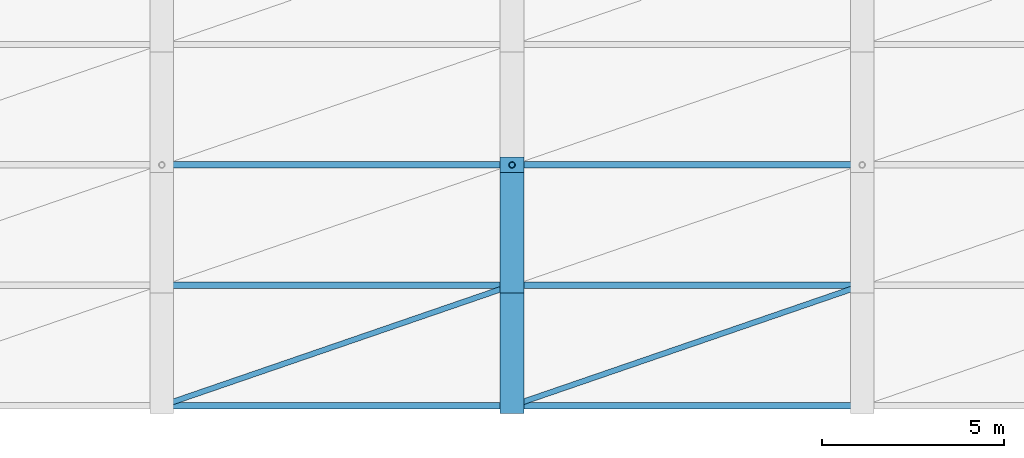
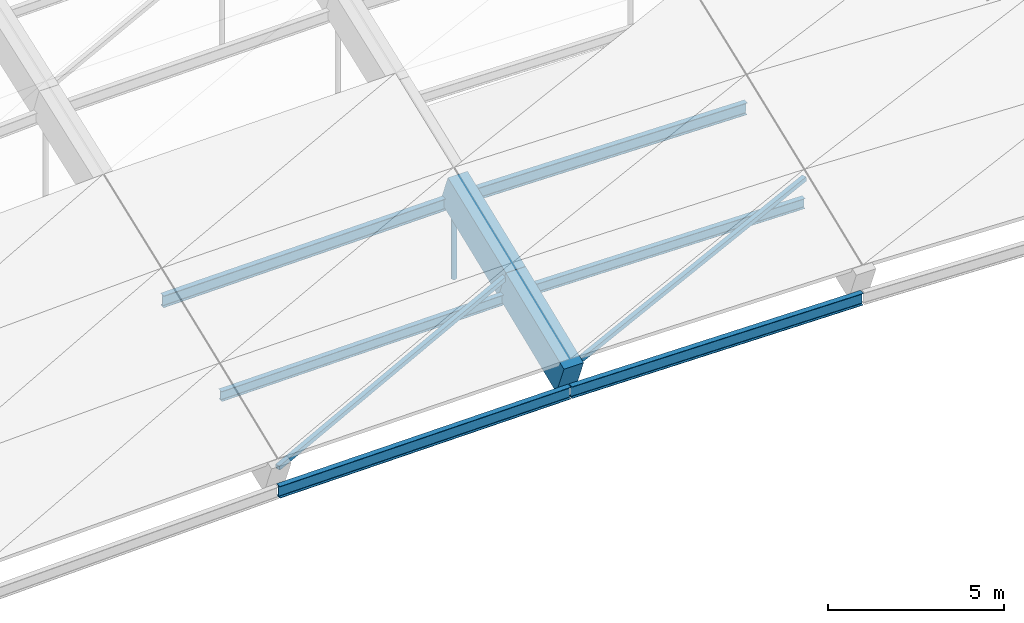
# One storey, part 10 of 43: 9 members, 2 beams.
"""IFC4 building model written with IfcOpenShell, lengths in metres."""

from ifc_helpers import new_model, si_unit, direction, frame, origin, origin_2d, place, context, subcontext, project, spatial, rectangle, hollow_rectangle, hollow_circle, i_section, extrude, material, material_profile, profile_set, type_object, element, save


model = new_model("IFC4")

# Units and contexts
model_context = context("Model", 3, precision=1e-05, world=origin(), true_north=direction((0.0, 1.0)))
body_context = subcontext(model_context, "Body", "Model", "MODEL_VIEW")
ifc_project = project(units=[si_unit("LENGTHUNIT", "METRE"), si_unit("AREAUNIT", "SQUARE_METRE"), si_unit("VOLUMEUNIT", "CUBIC_METRE"), si_unit("PLANEANGLEUNIT", "RADIAN"), si_unit("MASSUNIT", "GRAM", prefix="KILO")], contexts=[model_context])

# Site, building, storey
site_placement = place(None, origin())
site = spatial("IfcSite", under=ifc_project, at=site_placement, CompositionType="ELEMENT")
building_placement = place(site_placement, origin())
building = spatial("IfcBuilding", under=site, at=building_placement, Name="Chalmorin Arch Market", CompositionType="ELEMENT")
storey_placement = place(building_placement, frame((0.0, 0.0, 18.60009765625)))
storey = spatial("IfcBuildingStorey", under=building, at=storey_placement, Name="RF", CompositionType="ELEMENT", Elevation=18.60009765625)

# Member
ifc_material_1 = material(Name="Steel A500 Grade C", Category="steel")
ifc_material_profile_1 = material_profile(ifc_material_1, hollow_circle(Radius=0.084228515625, WallThickness=0.007080078125, at=origin_2d()), Name="CHS168X7")
ifc_profile_set_1 = profile_set([ifc_material_profile_1], Name="Steel A500 Grade C")
member_type_1 = type_object("IfcMemberType", Name="ArchHangerTie-CHS168", PredefinedType="CHORD", material=ifc_profile_set_1)
member_1_placement = place(storey_placement, frame((86.39990234375, 12.60009765625, -2.4501953125), z_axis=(0.0, 0.0, 1.0), x_axis=(1.0, 0.0, 0.0)))
element("IfcMember", 1, at=member_1_placement, inside=storey, type_object=member_type_1, Name="HT-CH168-0156", PredefinedType="CHORD", context=body_context, shape_type="SweptSolid", body=[
    extrude(hollow_circle(Radius=0.084228515625, WallThickness=0.007080078125, at=origin_2d()), origin(), (0.0, 0.0, 1.0), 3.197265625),
])

# Beams
ifc_material_2 = material(Name="Concrete C50/60", Category="concrete")
ifc_material_profile_2 = material_profile(ifc_material_2, rectangle(XDim=0.64990234375, YDim=1.14990234375, at=origin_2d()), Name="RC650X1150")
ifc_profile_set_2 = profile_set([ifc_material_profile_2], Name="Concrete C50/60")
beam_type = type_object("IfcBeamType", Name="ArchRibChord-650x1150", PredefinedType="BEAM", material=ifc_profile_set_2)
beam_1_placement = place(storey_placement, frame((86.39990234375, 6.0, -1.900146484375), z_axis=(0.0, 0.926616651125, 0.37600742261), x_axis=(-1.0, 0.0, 0.0)))
element("IfcBeam", 2, at=beam_1_placement, inside=storey, type_object=beam_type, Name="AR-01-1661", PredefinedType="BEAM", context=body_context, shape_type="SweptSolid", body=[
    extrude(rectangle(XDim=0.64990234375, YDim=1.14990234375, at=origin_2d()), origin(), (0.0, 0.0, 1.0), 3.561279296875),
])
beam_2_placement = place(storey_placement, frame((86.39990234375, 9.300048828125, -0.56103515625), z_axis=(0.0, 0.929629497426, 0.368495586832), x_axis=(-1.0, 0.0, 0.0)))
element("IfcBeam", 3, at=beam_2_placement, inside=storey, type_object=beam_type, Name="AR-01-1662", PredefinedType="BEAM", context=body_context, shape_type="SweptSolid", body=[
    extrude(rectangle(XDim=0.64990234375, YDim=1.14990234375, at=origin_2d()), origin(), (0.0, 0.0, 1.0), 3.5498046875),
])

# Members
ifc_material_3 = material(Name="Steel A992 Grade 50", Category="steel")
ifc_material_profile_3 = material_profile(ifc_material_3, i_section(OverallWidth=0.1708984375, OverallDepth=0.35107421875, WebThickness=0.0068359375, FlangeThickness=0.009765625, FilletRadius=0.014892578125, at=origin_2d()), Name="W14X30")
ifc_profile_set_3 = profile_set([ifc_material_profile_3], Name="Steel A992 Grade 50")
member_type_2 = type_object("IfcMemberType", Name="RoofSteelPurlin-W14X30", PredefinedType="PURLIN", material=ifc_profile_set_3)
member_2_placement = place(storey_placement, frame((76.820068359375, 9.300048828125, -1.162109375), z_axis=(0.999919783765, 0.0, 0.012665940004), x_axis=(0.0, 1.0, 0.0)))
element("IfcMember", 4, at=member_2_placement, inside=storey, type_object=member_type_2, Name="PR-W14-0240", PredefinedType="PURLIN", context=body_context, shape_type="SweptSolid", body=[
    extrude(i_section(OverallWidth=0.1708984375, OverallDepth=0.35107421875, WebThickness=0.0068359375, FlangeThickness=0.009765625, FilletRadius=0.014892578125, at=origin_2d()), origin(), (0.0, 0.0, 1.0), 9.560546875),
])
member_3_placement = place(storey_placement, frame((86.419921875, 9.300048828125, -1.041015625), z_axis=(0.999919787861, 0.0, -0.012665616599), x_axis=(0.0, 1.0, 0.0)))
element("IfcMember", 5, at=member_3_placement, inside=storey, type_object=member_type_2, Name="PR-W14-0261", PredefinedType="PURLIN", context=body_context, shape_type="SweptSolid", body=[
    extrude(i_section(OverallWidth=0.1708984375, OverallDepth=0.35107421875, WebThickness=0.0068359375, FlangeThickness=0.009765625, FilletRadius=0.014892578125, at=origin_2d()), origin(), (0.0, 0.0, 1.0), 9.560791015625),
])
ifc_material_profile_4 = material_profile(ifc_material_3, i_section(OverallWidth=0.178955078125, OverallDepth=0.409912109375, WebThickness=0.0087890625, FlangeThickness=0.014404296875, FilletRadius=0.01806640625, at=origin_2d()), Name="W16X45")
ifc_profile_set_4 = profile_set([ifc_material_profile_4], Name="Steel A992 Grade 50")
member_type_3 = type_object("IfcMemberType", Name="RoofSteelPurlin-W16X45", PredefinedType="PURLIN", material=ifc_profile_set_4)
member_4_placement = place(storey_placement, frame((76.820068359375, 6.0, -2.48291015625), z_axis=(0.999942206669, 0.0, 0.010750968384), x_axis=(0.0, 1.0, 0.0)))
element("IfcMember", 6, at=member_4_placement, inside=storey, type_object=member_type_3, Name="PR-W16-0239", PredefinedType="PURLIN", context=body_context, shape_type="SweptSolid", body=[
    extrude(i_section(OverallWidth=0.178955078125, OverallDepth=0.409912109375, WebThickness=0.0087890625, FlangeThickness=0.014404296875, FilletRadius=0.01806640625, at=origin_2d()), origin(), (0.0, 0.0, 1.0), 9.560302734375),
])
member_5_placement = place(storey_placement, frame((76.820068359375, 12.60009765625, 0.12841796875), z_axis=(0.999894808821, 0.0, 0.014504181919), x_axis=(0.0, 1.0, 0.0)))
element("IfcMember", 7, at=member_5_placement, inside=storey, type_object=member_type_3, Name="PR-W16-0241", PredefinedType="PURLIN", context=body_context, shape_type="SweptSolid", body=[
    extrude(i_section(OverallWidth=0.178955078125, OverallDepth=0.409912109375, WebThickness=0.0087890625, FlangeThickness=0.014404296875, FilletRadius=0.01806640625, at=origin_2d()), origin(), (0.0, 0.0, 1.0), 9.560791015625),
])
member_6_placement = place(storey_placement, frame((86.419921875, 6.0, -2.380126953125), z_axis=(0.999942209621, 0.0, -0.010750693862), x_axis=(0.0, 1.0, 0.0)))
element("IfcMember", 8, at=member_6_placement, inside=storey, type_object=member_type_3, Name="PR-W16-0260", PredefinedType="PURLIN", context=body_context, shape_type="SweptSolid", body=[
    extrude(i_section(OverallWidth=0.178955078125, OverallDepth=0.409912109375, WebThickness=0.0087890625, FlangeThickness=0.014404296875, FilletRadius=0.01806640625, at=origin_2d()), origin(), (0.0, 0.0, 1.0), 9.560546875),
])
member_7_placement = place(storey_placement, frame((86.419921875, 12.60009765625, 0.26708984375), z_axis=(0.999894814193, 0.0, -0.014503811596), x_axis=(0.0, 1.0, 0.0)))
element("IfcMember", 9, at=member_7_placement, inside=storey, type_object=member_type_3, Name="PR-W16-0262", PredefinedType="PURLIN", context=body_context, shape_type="SweptSolid", body=[
    extrude(i_section(OverallWidth=0.178955078125, OverallDepth=0.409912109375, WebThickness=0.0087890625, FlangeThickness=0.014404296875, FilletRadius=0.01806640625, at=origin_2d()), origin(), (0.0, 0.0, 1.0), 9.56103515625),
])
ifc_material_profile_5 = material_profile(ifc_material_1, hollow_rectangle(XDim=0.15234375, YDim=0.15234375, WallThickness=0.0087890625, at=origin_2d()), Name="HSS6X6X3/8")
ifc_profile_set_5 = profile_set([ifc_material_profile_5], Name="Steel A500 Grade C")
member_type_4 = type_object("IfcMemberType", Name="VaultWindBrace-HSS6X6", PredefinedType="BRACE", material=ifc_profile_set_5)
member_8_placement = place(storey_placement, frame((76.800048828125, 6.0, -1.65283203125), z_axis=(0.936288768485, 0.321858937555, 0.140606423486), x_axis=(-0.325088506439, 0.945683595597, 0.0)))
element("IfcMember", 10, at=member_8_placement, inside=storey, type_object=member_type_4, Name="BR-HS6-0256", ObjectType="Diagonal brace", PredefinedType="BRACE", context=body_context, shape_type="SweptSolid", body=[
    extrude(hollow_rectangle(XDim=0.15234375, YDim=0.15234375, WallThickness=0.0087890625, at=origin_2d()), origin(), (0.0, 0.0, 1.0), 10.253173828125),
])
member_9_placement = place(storey_placement, frame((86.39990234375, 6.0, -1.550048828125), z_axis=(0.938951590359, 0.322766101594, 0.119129990446), x_axis=(-0.325081112779, 0.945686137212, 0.0)))
element("IfcMember", 11, at=member_9_placement, inside=storey, type_object=member_type_4, Name="BR-HS6-0277", ObjectType="Diagonal brace", PredefinedType="BRACE", context=body_context, shape_type="SweptSolid", body=[
    extrude(hollow_rectangle(XDim=0.15234375, YDim=0.15234375, WallThickness=0.0087890625, at=origin_2d()), origin(), (0.0, 0.0, 1.0), 10.224365234375),
])

save(model, "model.ifc")
